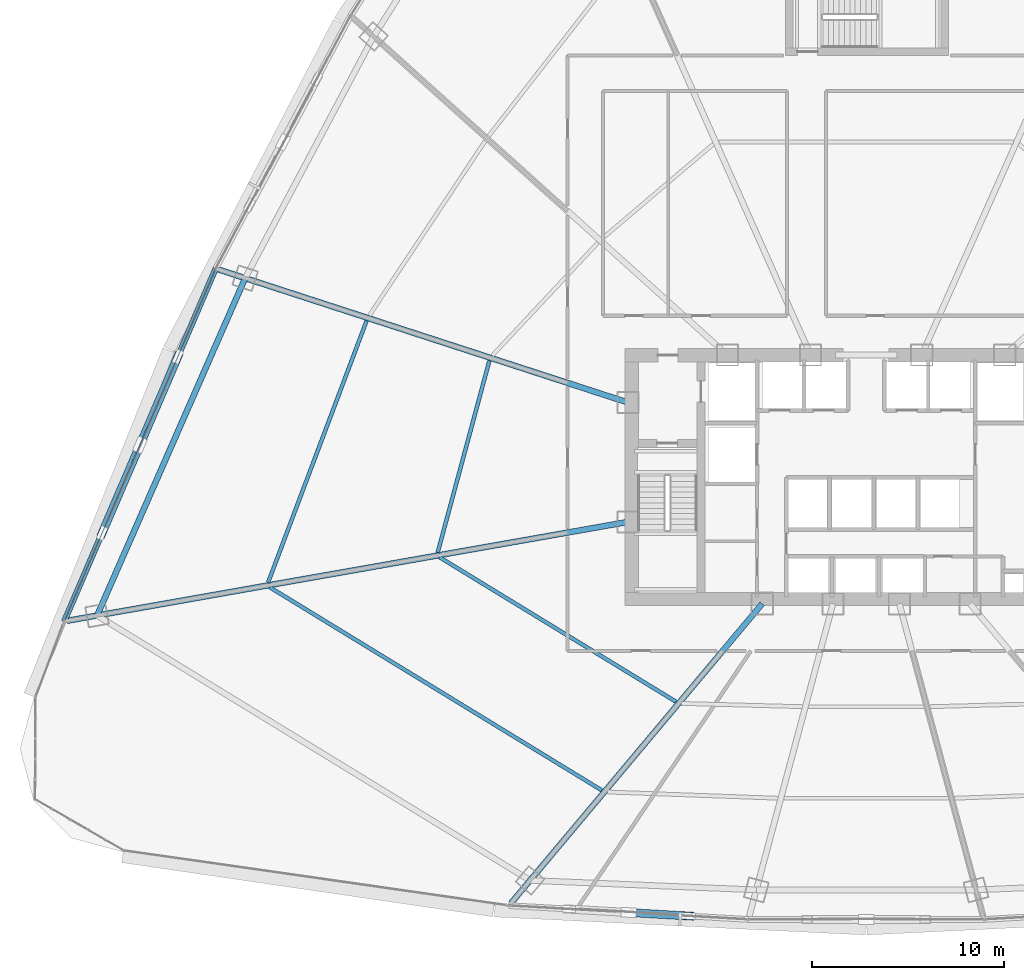
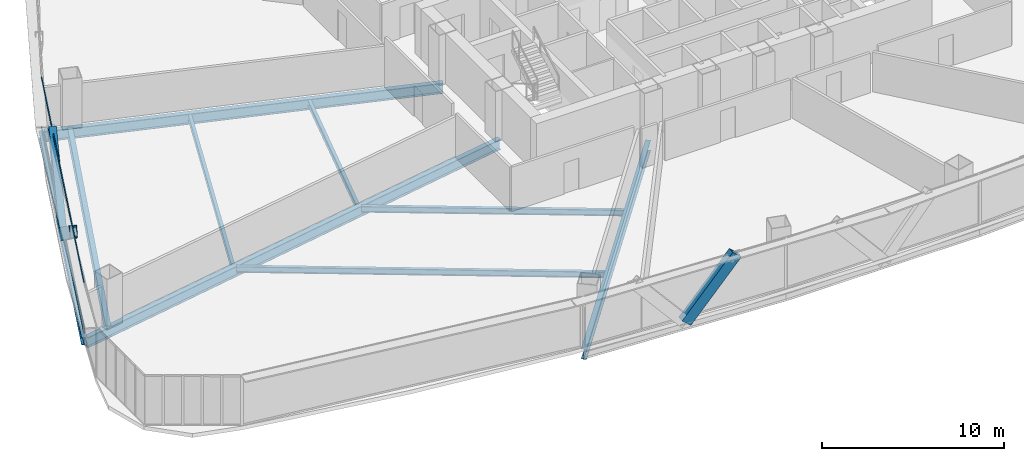
# One storey, part 7 of 42: 9 beams, 5 members, 1 element without a shape of its own.
"""IFC4 building model written with IfcOpenShell, lengths in metres."""

from ifc_helpers import new_model, si_unit, direction, frame, origin, origin_2d, place, context, subcontext, project, spatial, hollow_rectangle, i_section, extrude, source, transform, mapped, material, layer, layer_set, material_profile, profile_set, type_object, element, aggregate, save


model = new_model("IFC4")

# Units and contexts
model_context = context("Model", 3, precision=1e-05, world=origin(), true_north=direction((0.0, 1.0)))
body_context = subcontext(model_context, "Body", "Model", "MODEL_VIEW")
ifc_project = project(units=[si_unit("LENGTHUNIT", "METRE"), si_unit("AREAUNIT", "SQUARE_METRE"), si_unit("VOLUMEUNIT", "CUBIC_METRE"), si_unit("PLANEANGLEUNIT", "RADIAN"), si_unit("MASSUNIT", "GRAM", prefix="KILO"), si_unit("THERMODYNAMICTEMPERATUREUNIT", "KELVIN"), si_unit("POWERUNIT", "WATT")], contexts=[model_context])

# Site, building, storey
site_placement = place(None, origin())
site = spatial("IfcSite", under=ifc_project, at=site_placement, CompositionType="ELEMENT")
building_placement = place(site_placement, origin())
building = spatial("IfcBuilding", under=site, at=building_placement, Name="Yunzhuo Pagoda Commons", CompositionType="ELEMENT")
storey_placement = place(building_placement, frame((0.0, 0.0, 41.2900390625)))
storey = spatial("IfcBuildingStorey", under=building, at=storey_placement, Name="L10", CompositionType="ELEMENT", Elevation=41.2900390625)

# Beams
ifc_material_1 = material(Name="Structural steel Q355B", Category="steel")
ifc_material_profile_1 = material_profile(ifc_material_1, i_section(OverallWidth=0.300048828125, OverallDepth=0.699951171875, WebThickness=0.012939453125, FlangeThickness=0.02392578125, at=origin_2d()), Name="Structural steel Q355B")
ifc_profile_set_1 = profile_set([ifc_material_profile_1], Name="Structural steel Q355B")
beam_type_1 = type_object("IfcBeamType", Name="B-RG1 Beam HN 700x300x13x24", PredefinedType="BEAM", material=ifc_profile_set_1)
shared_shape_1 = source(origin(), body_context, "Body", "SweptSolid", [
    extrude(i_section(OverallWidth=0.300048828125, OverallDepth=0.699951171875, WebThickness=0.012939453125, FlangeThickness=0.02392578125, at=origin_2d()), origin(), (0.0, 0.0, 1.0), 19.18603515625),
])
beam_1_placement = place(storey_placement, frame((15.66455078125, 44.206298828125, -0.610107421875), z_axis=(-0.40196534204, -0.915654882474, 0.0), x_axis=(0.915654882474, -0.40196534204, 0.0)))
element("IfcBeam", 1, at=beam_1_placement, inside=storey, type_object=beam_type_1, Name="L10 column-ring beam 11", PredefinedType="BEAM", context=body_context, shape_type="MappedRepresentation", body=[
    mapped(shared_shape_1, transform((0.0, 0.0, 0.0), scale=1.0)),
])
ifc_material_profile_2 = material_profile(ifc_material_1, i_section(OverallWidth=0.199951171875, OverallDepth=0.39990234375, WebThickness=0.008056640625, FlangeThickness=0.012939453125, at=origin_2d()), Name="Structural steel Q355B")
ifc_profile_set_2 = profile_set([ifc_material_profile_2], Name="Structural steel Q355B")
beam_type_2 = type_object("IfcBeamType", Name="B-JS1 Joist HN 400x200x8x13", PredefinedType="JOIST", material=ifc_profile_set_2)
shared_shape_2 = source(origin(), body_context, "Body", "SweptSolid", [
    extrude(i_section(OverallWidth=0.199951171875, OverallDepth=0.39990234375, WebThickness=0.008056640625, FlangeThickness=0.012939453125, at=origin_2d()), origin(), (0.0, 0.0, 1.0), 14.4365234375),
])
beam_2_placement = place(storey_placement, frame((25.782470703125, 29.675537109375, -0.4599609375), z_axis=(0.85325633277, -0.521491735876, 0.0), x_axis=(0.521491735876, 0.85325633277, 0.0)))
element("IfcBeam", 2, at=beam_2_placement, inside=storey, type_object=beam_type_2, Name="L10 composite ring joist 1.12", PredefinedType="JOIST", context=body_context, shape_type="MappedRepresentation", body=[
    mapped(shared_shape_2, transform((0.0, 0.0, 0.0), scale=1.0)),
])
shared_shape_3 = source(origin(), body_context, "Body", "SweptSolid", [
    extrude(i_section(OverallWidth=0.199951171875, OverallDepth=0.39990234375, WebThickness=0.008056640625, FlangeThickness=0.012939453125, at=origin_2d()), origin(), (0.0, 0.0, 1.0), 20.275634765625),
])
beam_3_placement = place(storey_placement, frame((16.935302734375, 28.11572265625, -0.4599609375), z_axis=(0.853102898066, -0.521742700295, 0.0), x_axis=(0.521742700295, 0.853102898066, 0.0)))
element("IfcBeam", 3, at=beam_3_placement, inside=storey, type_object=beam_type_2, Name="L10 composite ring joist 2.12", PredefinedType="JOIST", context=body_context, shape_type="MappedRepresentation", body=[
    mapped(shared_shape_3, transform((0.0, 0.0, 0.0), scale=1.0)),
])
shared_shape_4 = source(origin(), body_context, "Body", "SweptSolid", [
    extrude(i_section(OverallWidth=0.199951171875, OverallDepth=0.39990234375, WebThickness=0.008056640625, FlangeThickness=0.012939453125, at=origin_2d()), origin(), (0.0, 0.0, 1.0), 10.351806640625),
])
beam_4_placement = place(storey_placement, frame((28.3818359375, 39.9072265625, -0.4599609375), z_axis=(-0.260208595802, -0.965552425646, 0.0), x_axis=(0.965552425646, -0.260208595802, 0.0)))
element("IfcBeam", 4, at=beam_4_placement, inside=storey, type_object=beam_type_2, Name="L10 composite ring joist 1.11", PredefinedType="JOIST", context=body_context, shape_type="MappedRepresentation", body=[
    mapped(shared_shape_4, transform((0.0, 0.0, 0.0), scale=1.0)),
])
shared_shape_5 = source(origin(), body_context, "Body", "SweptSolid", [
    extrude(i_section(OverallWidth=0.199951171875, OverallDepth=0.39990234375, WebThickness=0.008056640625, FlangeThickness=0.012939453125, at=origin_2d()), origin(), (0.0, 0.0, 1.0), 14.571044921875),
])
beam_5_placement = place(storey_placement, frame((21.98779296875, 41.98486328125, -0.4599609375), z_axis=(-0.352208383632, -0.935921607027, 0.0), x_axis=(0.935921607027, -0.352208383632, 0.0)))
element("IfcBeam", 5, at=beam_5_placement, inside=storey, type_object=beam_type_2, Name="L10 composite ring joist 2.11", PredefinedType="JOIST", context=body_context, shape_type="MappedRepresentation", body=[
    mapped(shared_shape_5, transform((0.0, 0.0, 0.0), scale=1.0)),
])
shared_shape_6 = source(origin(), body_context, "Body", "SweptSolid", [
    extrude(i_section(OverallWidth=0.300048828125, OverallDepth=0.699951171875, WebThickness=0.012939453125, FlangeThickness=0.02392578125, at=origin_2d()), origin(), (0.0, 0.0, 1.0), 20.3623046875),
])
beam_6_placement = place(storey_placement, frame((29.499267578125, 11.651611328125, -0.610107421875), z_axis=(0.642788211009, 0.766043938549, 0.0), x_axis=(-0.766043938549, 0.642788211009, 0.0)))
element("IfcBeam", 6, at=beam_6_placement, inside=storey, type_object=beam_type_1, Name="L10 radial floor girder F1C1", PredefinedType="BEAM", context=body_context, shape_type="MappedRepresentation", body=[
    mapped(shared_shape_6, transform((0.0, 0.0, 0.0), scale=1.0)),
])
shared_shape_7 = source(origin(), body_context, "Body", "SweptSolid", [
    extrude(i_section(OverallWidth=0.300048828125, OverallDepth=0.699951171875, WebThickness=0.012939453125, FlangeThickness=0.02392578125, at=origin_2d()), origin(), (0.0, 0.0, 1.0), 29.657470703125),
])
beam_7_placement = place(storey_placement, frame((6.39306640625, 26.363525390625, -0.610107421875), z_axis=(0.984808244815, 0.173645388492, 0.0), x_axis=(-0.173645388492, 0.984808244815, 0.0)))
element("IfcBeam", 7, at=beam_7_placement, inside=storey, type_object=beam_type_1, Name="L10 radial floor girder F3C4", PredefinedType="BEAM", context=body_context, shape_type="MappedRepresentation", body=[
    mapped(shared_shape_7, transform((0.0, 0.0, 0.0), scale=1.0)),
])
shared_shape_8 = source(origin(), body_context, "Body", "SweptSolid", [
    extrude(i_section(OverallWidth=0.300048828125, OverallDepth=0.699951171875, WebThickness=0.012939453125, FlangeThickness=0.02392578125, at=origin_2d()), origin(), (0.0, 0.0, 1.0), 22.421875),
])
beam_8_placement = place(storey_placement, frame((14.275634765625, 44.65771484375, -0.610107421875), z_axis=(0.951056871076, -0.309015902469, 0.0), x_axis=(0.309015902469, 0.951056871076, 0.0)))
element("IfcBeam", 8, at=beam_8_placement, inside=storey, type_object=beam_type_1, Name="L10 radial floor girder F3C3", PredefinedType="BEAM", context=body_context, shape_type="MappedRepresentation", body=[
    mapped(shared_shape_8, transform((0.0, 0.0, 0.0), scale=1.0)),
])
ifc_material_profile_3 = material_profile(ifc_material_1, i_section(OverallWidth=0.300048828125, OverallDepth=0.488037109375, WebThickness=0.010986328125, FlangeThickness=0.01806640625, at=origin_2d()), Name="Structural steel Q355B")
ifc_profile_set_3 = profile_set([ifc_material_profile_3], Name="Structural steel Q355B")
beam_type_3 = type_object("IfcBeamType", Name="B-SP1 Beam HM 488x300x11x18", PredefinedType="BEAM", material=ifc_profile_set_3)
shared_shape_9 = source(origin(), body_context, "Body", "SweptSolid", [
    extrude(i_section(OverallWidth=0.300048828125, OverallDepth=0.488037109375, WebThickness=0.010986328125, FlangeThickness=0.01806640625, at=origin_2d()), origin(), (0.0, 0.0, 1.0), 19.99072265625),
])
beam_9_placement = place(storey_placement, frame((14.12841796875, 44.70556640625, -0.504150390625), z_axis=(-0.394566260797, -0.918867490904, 0.0), x_axis=(0.918867490904, -0.394566260797, 0.0)))
element("IfcBeam", 9, at=beam_9_placement, inside=storey, type_object=beam_type_3, Name="L10 facade edge spandrel beam F3.3", PredefinedType="BEAM", context=body_context, shape_type="MappedRepresentation", body=[
    mapped(shared_shape_9, transform((0.0, 0.0, 0.0), scale=1.0)),
])

# Members
ifc_material_2 = material(Name="Structural steel Q420B", Category="steel")
ifc_material_profile_4 = material_profile(ifc_material_2, hollow_rectangle(XDim=0.419921875, YDim=0.719970703125, WallThickness=0.028076171875, at=origin_2d()), Name="Structural steel Q420B")
ifc_profile_set_4 = profile_set([ifc_material_profile_4], Name="Structural steel Q420B")
member_type_1 = type_object("IfcMemberType", Name="M-DL1 Brace BOX 720x420x28", PredefinedType="BRACE", material=ifc_profile_set_4)
shared_shape_10 = source(origin(), body_context, "Body", "SweptSolid", [
    extrude(hollow_rectangle(XDim=0.419921875, YDim=0.719970703125, WallThickness=0.028076171875, at=origin_2d()), origin(), (0.0, 0.0, 1.0), 4.787841796875),
])
member_1_placement = place(storey_placement, frame((35.63330078125, 11.172119140625, -0.260009765625), z_axis=(0.65100498202, -0.037682515995, 0.758137547793), x_axis=(0.057786879313, 0.998328942072, 0.0)))
element("IfcMember", 10, at=member_1_placement, inside=storey, type_object=member_type_1, Name="L10 facade diamond brace F1.1R", PredefinedType="BRACE", context=body_context, shape_type="MappedRepresentation", body=[
    mapped(shared_shape_10, transform((0.0, 0.0, 0.0), scale=1.0)),
])
shared_shape_11 = source(origin(), body_context, "Body", "SweptSolid", [
    extrude(hollow_rectangle(XDim=0.419921875, YDim=0.719970703125, WallThickness=0.028076171875, at=origin_2d()), origin(), (0.0, 0.0, 1.0), 6.1767578125),
])
for number, where, z_axis, x_axis, name in (
    (11, (10.184326171875, 35.52099609375, -0.260009765625), (0.319243662081, 0.743465802123, 0.587658136415), (-0.918869392168, 0.394561833096, 0.0), "L10 facade diamond brace F3.3L"),
    (12, (10.184326171875, 35.52099609375, -0.260009765625), (-0.319253043382, -0.743448123434, 0.58767540535), (0.918861786728, -0.394579544441, 0.0), "L10 facade diamond brace F3.3R"),
):
    element("IfcMember", number, at=place(storey_placement, frame(where, z_axis=z_axis, x_axis=x_axis)), inside=storey, type_object=member_type_1, Name=name, PredefinedType="BRACE", context=body_context, shape_type="MappedRepresentation", body=[
        mapped(shared_shape_11, transform((0.0, 0.0, 0.0), scale=1.0)),
    ])

# Curtain wall, members
ifc_material_3 = material(Name="Anodized aluminium 6063-T6", Category="aluminium")
ifc_layer = layer(ifc_material_3, 0.1650390625)
ifc_layer_set = layer_set([ifc_layer], Name="Anodized aluminium 6063-T6")
curtain_wall_type = type_object("IfcCurtainWallType", Name="CW-LOW Low-Zone Ribbon Curtain Wall", PredefinedType="NOTDEFINED", material=ifc_layer_set)
curtain_wall_placement = place(storey_placement, origin())
curtain_wall = element("IfcCurtainWall", 13, at=curtain_wall_placement, inside=storey, type_object=curtain_wall_type, Name="L10 curtain wall CW-L10-F3B4", PredefinedType="NOTDEFINED")
ifc_material_profile_5 = material_profile(ifc_material_3, hollow_rectangle(XDim=0.06005859375, YDim=0.139892578125, WallThickness=0.00341796875, at=origin_2d()), Name="Anodized aluminium 6063-T6")
ifc_profile_set_5 = profile_set([ifc_material_profile_5], Name="Anodized aluminium 6063-T6")
member_type_2 = type_object("IfcMemberType", Name="CW-LOW-T Transom RHS 140x60x3.5", PredefinedType="USERDEFINED", material=ifc_profile_set_5)
shared_shape_12 = source(origin(), body_context, "Body", "SweptSolid", [
    extrude(hollow_rectangle(XDim=0.06005859375, YDim=0.139892578125, WallThickness=0.00341796875, at=origin_2d()), origin(), (0.0, 0.0, 1.0), 19.860595703125),
])
member_2_placement = place(storey_placement, frame((14.1025390625, 44.645751953125, 0.030029296875), z_axis=(-0.39457049988, -0.918865670611, 0.0), x_axis=(0.918865670611, -0.39457049988, 0.0)))
member_2 = element("IfcMember", 14, at=member_2_placement, type_object=member_type_2, Name="CW transom 1.1", ObjectType="TRANSOM", PredefinedType="USERDEFINED", context=body_context, shape_type="MappedRepresentation", body=[
    mapped(shared_shape_12, transform((0.0, 0.0, 0.0), scale=1.0)),
])
member_3_placement = place(storey_placement, frame((14.1025390625, 44.645751953125, 3.33984375), z_axis=(-0.39457049988, -0.918865670611, 0.0), x_axis=(0.918865670611, -0.39457049988, 0.0)))
member_3 = element("IfcMember", 15, at=member_3_placement, type_object=member_type_2, Name="CW transom 1.2", ObjectType="TRANSOM", PredefinedType="USERDEFINED", context=body_context, shape_type="MappedRepresentation", body=[
    mapped(shared_shape_12, transform((0.0, 0.0, 0.0), scale=1.0)),
])
aggregate(curtain_wall, [member_2, member_3])

save(model, "model.ifc")
